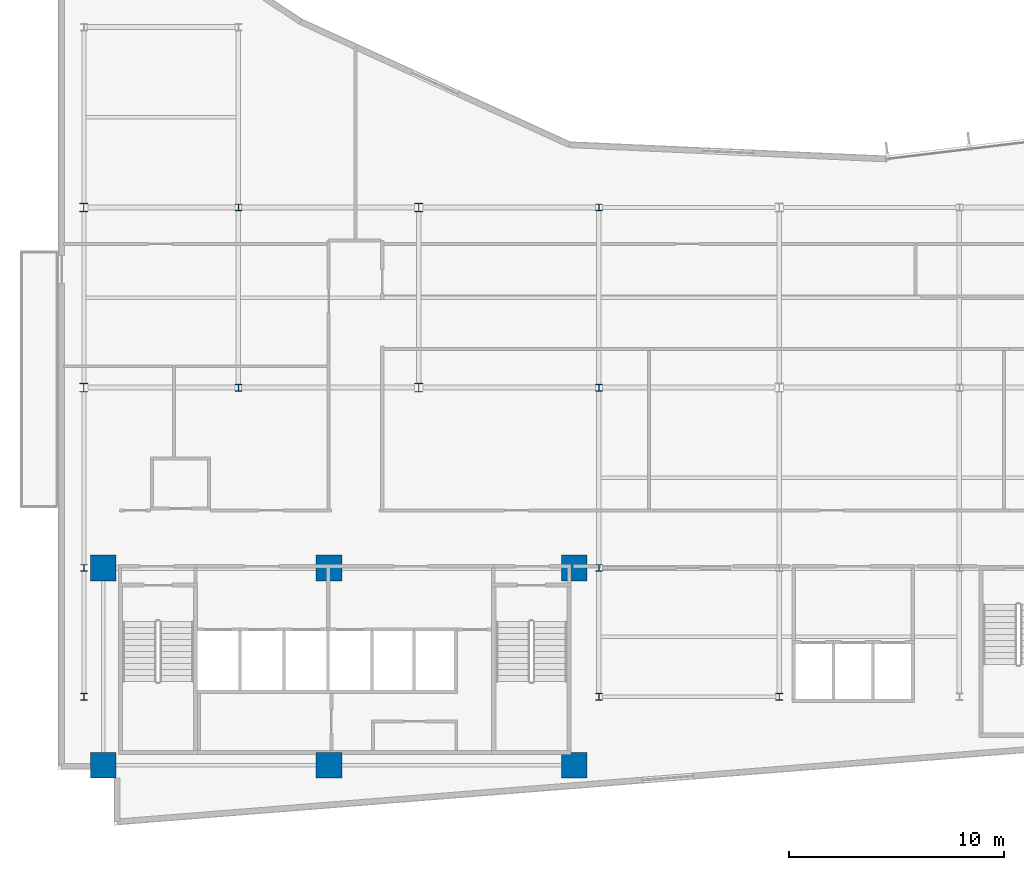
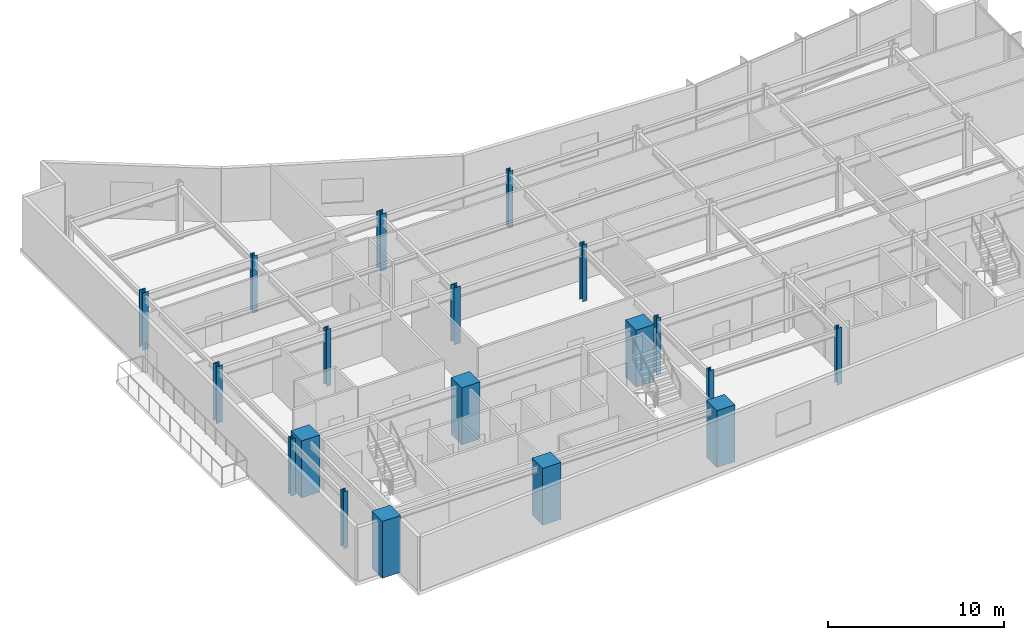
# One storey, part 1 of 16: 19 columns.
"""IFC4 building model written with IfcOpenShell, lengths in metres."""

from ifc_helpers import new_model, si_unit, direction, frame, origin, origin_2d, place, context, subcontext, project, spatial, rectangle, i_section, extrude, material, material_profile, profile_set, type_object, element, save


model = new_model("IFC4")

# Units and contexts
model_context = context("Model", 3, precision=1e-05, world=origin(), true_north=direction((0.0, 1.0)))
body_context = subcontext(model_context, "Body", "Model", "MODEL_VIEW")
ifc_project = project(units=[si_unit("LENGTHUNIT", "METRE"), si_unit("AREAUNIT", "SQUARE_METRE"), si_unit("VOLUMEUNIT", "CUBIC_METRE"), si_unit("PLANEANGLEUNIT", "RADIAN"), si_unit("MASSUNIT", "GRAM", prefix="KILO")], contexts=[model_context])

# Site, building, storey
site_placement = place(None, origin())
site = spatial("IfcSite", under=ifc_project, at=site_placement, CompositionType="ELEMENT")
building_placement = place(site_placement, origin())
building = spatial("IfcBuilding", under=site, at=building_placement, Name="Varnakote Quay Hospital", CompositionType="ELEMENT")
storey_placement = place(building_placement, frame((0.0, 0.0, 166.550048828125)))
storey = spatial("IfcBuildingStorey", under=building, at=storey_placement, Name="L41", CompositionType="ELEMENT", Elevation=166.550048828125)

# Columns
ifc_material_1 = material(Name="Concrete N80 (f'c 80 MPa)", Category="concrete")
ifc_material_profile_1 = material_profile(ifc_material_1, rectangle(XDim=1.199951171875, YDim=1.199951171875, at=origin_2d()), Name="RC-COL-1200x1200")
ifc_profile_set_1 = profile_set([ifc_material_profile_1], Name="Concrete N80 (f'c 80 MPa)")
column_type_1 = type_object("IfcColumnType", Name="COL-RC-1200", PredefinedType="COLUMN", material=ifc_profile_set_1)
for number, where, z_axis, x_axis, name in (
    (1, (2.10009765625, 2.800048828125, 0.0), (0.0, 0.0, 1.0), (1.0, 0.0, 0.0), "L41 Structural Column C-2-3"),
    (2, (12.6201171875, 2.800048828125, 0.0), (0.0, 0.0, 1.0), (1.0, 0.0, 0.0), "L41 Structural Column C-13-3"),
    (3, (24.050048828125, 2.800048828125, 0.0), (0.0, 0.0, 1.0), (1.0, 0.0, 0.0), "L41 Structural Column C-24-3"),
    (4, (2.10009765625, 12.0, 0.0), (0.0, 0.0, 1.0), (1.0, 0.0, 0.0), "L41 Structural Column C-2-12"),
    (5, (12.6201171875, 12.0, 0.0), (0.0, 0.0, 1.0), (1.0, 0.0, 0.0), "L41 Structural Column C-13-12"),
    (6, (24.050048828125, 12.0, 0.0), (0.0, 0.0, 1.0), (1.0, 0.0, 0.0), "L41 Structural Column C-24-12"),
):
    element("IfcColumn", number, at=place(storey_placement, frame(where, z_axis=z_axis, x_axis=x_axis)), inside=storey, type_object=column_type_1, Name=name, PredefinedType="COLUMN", context=body_context, shape_type="SweptSolid", body=[
        extrude(rectangle(XDim=1.199951171875, YDim=1.199951171875, at=origin_2d()), origin(), (0.0, 0.0, 1.0), 3.949951171875),
    ])
ifc_material_2 = material(Name="Structural steel AS/NZS 3679.1 Grade 350 L0 (fy 340 MPa)", Category="steel")
ifc_material_profile_2 = material_profile(ifc_material_2, i_section(OverallWidth=0.306884765625, OverallDepth=0.31494140625, WebThickness=0.011962890625, FlangeThickness=0.018798828125, FilletRadius=0.0166015625, at=origin_2d()), Name="310UC118")
ifc_profile_set_2 = profile_set([ifc_material_profile_2], Name="Structural steel AS/NZS 3679.1 Grade 350 L0 (fy 340 MPa)")
column_type_2 = type_object("IfcColumnType", Name="COL-STL-310UC118", PredefinedType="COLUMN", material=ifc_profile_set_2)
for number, where, z_axis, x_axis, name in (
    (7, (1.199951171875, 6.0, 0.0), (0.0, 0.0, 1.0), (1.0, 0.0, 0.0), "L41 Structural Column C-1-6"),
    (8, (25.199951171875, 6.0, 0.0), (0.0, 0.0, 1.0), (1.0, 0.0, 0.0), "L41 Structural Column C-25-6"),
    (9, (33.60009765625, 6.0, 0.0), (0.0, 0.0, 1.0), (1.0, 0.0, 0.0), "L41 Structural Column C-34-6"),
    (10, (1.199951171875, 12.0, 0.0), (0.0, 0.0, 1.0), (1.0, 0.0, 0.0), "L41 Structural Column C-1-12"),
    (11, (25.199951171875, 12.0, 0.0), (0.0, 0.0, 1.0), (1.0, 0.0, 0.0), "L41 Structural Column C-25-12"),
    (12, (8.39990234375, 20.39990234375, 0.0), (0.0, 0.0, 1.0), (1.0, 0.0, 0.0), "L41 Structural Column C-8-20"),
    (13, (25.199951171875, 20.39990234375, 0.0), (0.0, 0.0, 1.0), (1.0, 0.0, 0.0), "L41 Structural Column C-25-20"),
    (14, (8.39990234375, 28.800048828125, 0.0), (0.0, 0.0, 1.0), (1.0, 0.0, 0.0), "L41 Structural Column C-8-29"),
    (15, (25.199951171875, 28.800048828125, 0.0), (0.0, 0.0, 1.0), (1.0, 0.0, 0.0), "L41 Structural Column C-25-29"),
):
    element("IfcColumn", number, at=place(storey_placement, frame(where, z_axis=z_axis, x_axis=x_axis)), inside=storey, type_object=column_type_2, Name=name, PredefinedType="COLUMN", context=body_context, shape_type="SweptSolid", body=[
        extrude(i_section(OverallWidth=0.306884765625, OverallDepth=0.31494140625, WebThickness=0.011962890625, FlangeThickness=0.018798828125, FilletRadius=0.0166015625, at=origin_2d()), origin(), (0.0, 0.0, 1.0), 3.949951171875),
    ])
ifc_material_3 = material(Name="Structural steel AS/NZS 3678 Grade 350 (fy 340 MPa)", Category="steel")
ifc_material_profile_3 = material_profile(ifc_material_3, i_section(OverallWidth=0.39990234375, OverallDepth=0.419921875, WebThickness=0.02490234375, FlangeThickness=0.0400390625, at=origin_2d()), Name="400WC328")
ifc_profile_set_3 = profile_set([ifc_material_profile_3], Name="Structural steel AS/NZS 3678 Grade 350 (fy 340 MPa)")
column_type_3 = type_object("IfcColumnType", Name="COL-STL-400WC328", PredefinedType="COLUMN", material=ifc_profile_set_3)
for number, where, z_axis, x_axis, name in (
    (16, (1.199951171875, 20.39990234375, 0.0), (0.0, 0.0, 1.0), (1.0, 0.0, 0.0), "L41 Structural Column C-1-20"),
    (17, (16.800048828125, 20.39990234375, 0.0), (0.0, 0.0, 1.0), (1.0, 0.0, 0.0), "L41 Structural Column C-17-20"),
    (18, (1.199951171875, 28.800048828125, 0.0), (0.0, 0.0, 1.0), (1.0, 0.0, 0.0), "L41 Structural Column C-1-29"),
    (19, (16.800048828125, 28.800048828125, 0.0), (0.0, 0.0, 1.0), (1.0, 0.0, 0.0), "L41 Structural Column C-17-29"),
):
    element("IfcColumn", number, at=place(storey_placement, frame(where, z_axis=z_axis, x_axis=x_axis)), inside=storey, type_object=column_type_3, Name=name, PredefinedType="COLUMN", context=body_context, shape_type="SweptSolid", body=[
        extrude(i_section(OverallWidth=0.39990234375, OverallDepth=0.419921875, WebThickness=0.02490234375, FlangeThickness=0.0400390625, at=origin_2d()), origin(), (0.0, 0.0, 1.0), 3.949951171875),
    ])

save(model, "model.ifc")
